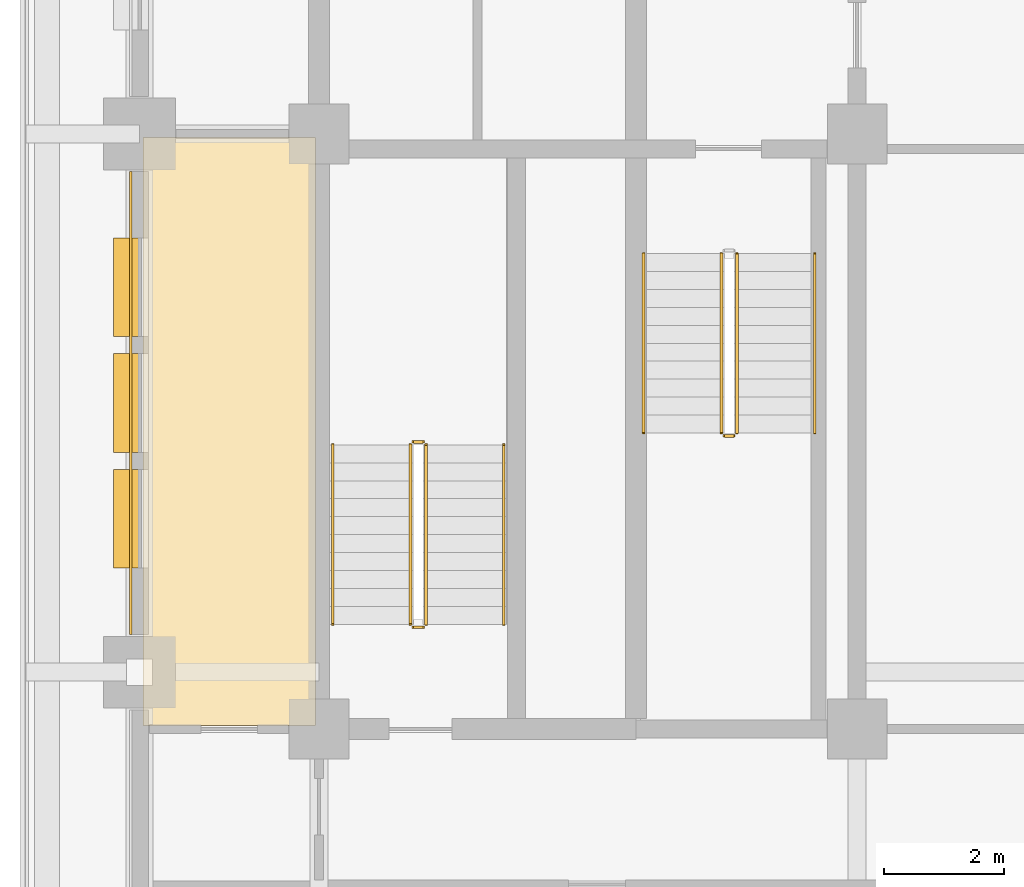
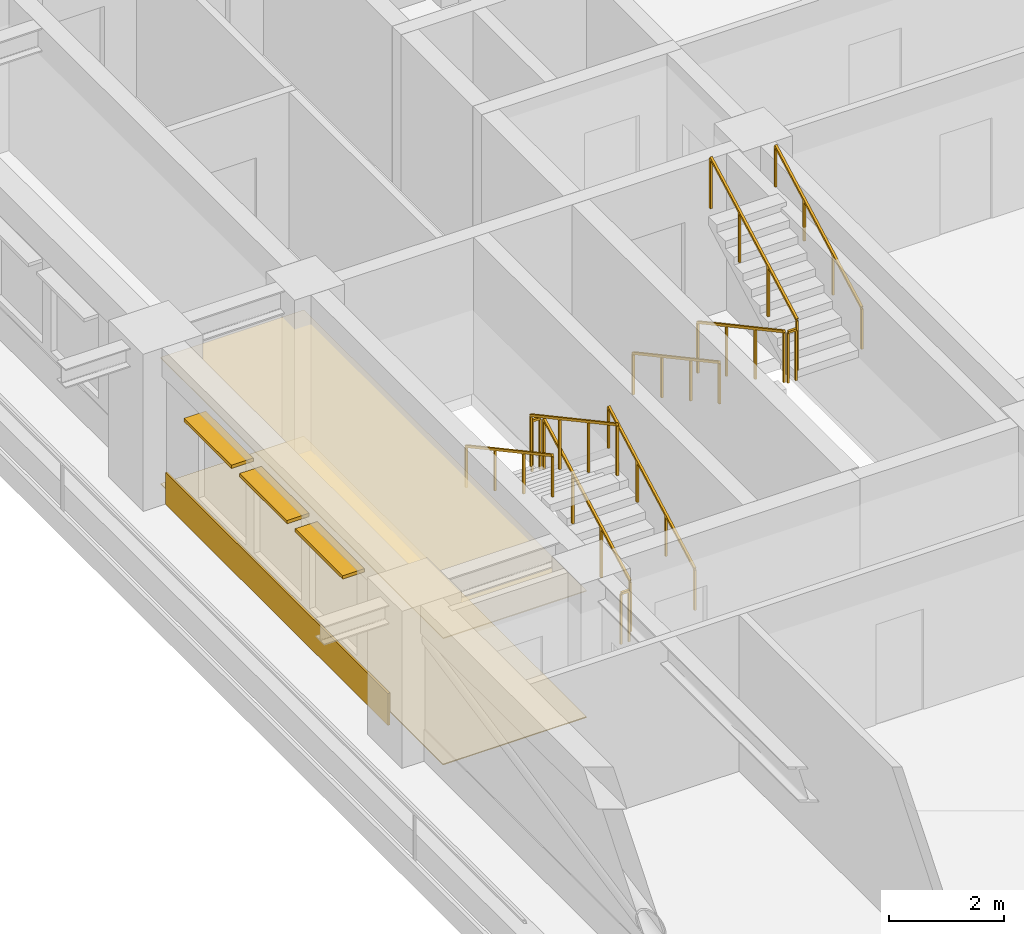
# One storey, part 9 of 14: 11 railings, 3 coverings, 3 shading devices.
"""IFC4 building model written with IfcOpenShell, lengths in metres."""

from ifc_helpers import new_model, si_unit, direction, frame, frame_2d, origin, origin_2d, place, context, subcontext, project, spatial, polyline, rectangle, outline, extrude, material, layer, layer_set, type_object, element, save


model = new_model("IFC4")

# Units and contexts
model_context = context("Model", 3, precision=1e-05, world=origin(), true_north=direction((0.0, 1.0)))
body_context = subcontext(model_context, "Body", "Model", "MODEL_VIEW")
ifc_project = project(units=[si_unit("LENGTHUNIT", "METRE"), si_unit("AREAUNIT", "SQUARE_METRE"), si_unit("VOLUMEUNIT", "CUBIC_METRE"), si_unit("PLANEANGLEUNIT", "RADIAN"), si_unit("MASSUNIT", "GRAM", prefix="KILO")], contexts=[model_context])

# Site, building, storey
site_placement = place(None, origin())
site = spatial("IfcSite", under=ifc_project, at=site_placement, CompositionType="ELEMENT")
building_placement = place(site_placement, origin())
building = spatial("IfcBuilding", under=site, at=building_placement, Name="Zulmaris Gate Convention Tower", CompositionType="ELEMENT")
storey_placement = place(building_placement, frame((0.0, 0.0, 98.5)))
storey = spatial("IfcBuildingStorey", under=building, at=storey_placement, Name="L24", CompositionType="ELEMENT", Elevation=98.5)

# Coverings
ifc_material_1 = material(Name="Precast concrete C40/50", Category="concrete")
ifc_layer_1 = layer(ifc_material_1, 0.0400390625, Name="Precast concrete C40/50")
ifc_layer_set_1 = layer_set([ifc_layer_1], Name="Precast concrete C40/50")
covering_type_1 = type_object("IfcCoveringType", Name="CLAD-SPANDREL-PRECAST", PredefinedType="CLADDING", material=ifc_layer_set_1)
covering_1_placement = place(storey_placement, frame((-23.14990234375, -0.6298828125, 0.0), z_axis=(0.0, 0.0, 1.0), x_axis=(0.0, -1.0, 0.0)))
element("IfcCovering", 1, at=covering_1_placement, inside=storey, type_object=covering_type_1, Name="CLD-L24-W-1_0", PredefinedType="CLADDING", context=body_context, shape_type="SweptSolid", body=[
    extrude(rectangle(XDim=7.740234375, YDim=0.0400390625, at=frame_2d((3.8701171875, 0.0))), origin(), (0.0, 0.0, 1.0), 0.679931640625),
])
ifc_material_2 = material(Name="Mineral Fibre Acoustic Ceiling Tile")
ifc_layer_2 = layer(ifc_material_2, 0.02001953125, Name="Mineral Fibre Acoustic Ceiling Tile")
ifc_layer_set_2 = layer_set([ifc_layer_2], Name="Mineral Fibre Acoustic Ceiling Tile")
covering_type_2 = type_object("IfcCoveringType", Name="CLG-ACOUSTIC-600", PredefinedType="CEILING", material=ifc_layer_set_2)
covering_2_placement = place(storey_placement, frame((0.0, 0.0, 2.6796875)))
element("IfcCovering", 2, at=covering_2_placement, inside=storey, type_object=covering_type_2, Name="CLG-L24-R50", PredefinedType="CEILING", context=body_context, shape_type="SweptSolid", body=[
    extrude(outline(polyline([(-22.93994140625, -9.889892578125), (-20.06005859375, -9.889892578125), (-20.06005859375, -0.06005859375), (-22.93994140625, -0.06005859375), (-22.93994140625, -9.889892578125)])), origin(), (0.0, 0.0, 1.0), 0.02001953125),
])
ifc_material_3 = material(Name="Woven Acoustic Wool Carpet Tile")
ifc_layer_3 = layer(ifc_material_3, 0.02001953125, Name="Woven Acoustic Wool Carpet Tile")
ifc_layer_set_3 = layer_set([ifc_layer_3], Name="Woven Acoustic Wool Carpet Tile")
covering_type_3 = type_object("IfcCoveringType", Name="FLR-CARPET-12", PredefinedType="FLOORING", material=ifc_layer_set_3)
covering_3_placement = place(storey_placement, origin())
element("IfcCovering", 3, at=covering_3_placement, inside=storey, type_object=covering_type_3, Name="FLR-L24-R50", PredefinedType="FLOORING", context=body_context, shape_type="SweptSolid", body=[
    extrude(outline(polyline([(-22.93994140625, -9.889892578125), (-20.06005859375, -9.889892578125), (-20.06005859375, -0.06005859375), (-22.93994140625, -0.06005859375), (-22.93994140625, -9.889892578125)])), origin(), (0.0, 0.0, 1.0), 0.02001953125),
])

# Railings
ifc_material_4 = material(Name="Painted Galvanised Steel", Category="steel")
railing_type_1 = type_object("IfcRailingType", Name="RL-STG-1150", PredefinedType="GUARDRAIL", material=ifc_material_4)
railing_1_placement = place(storey_placement, frame((-13.27001953125, -2.0, 0.162353515625)))
element("IfcRailing", 4, at=railing_1_placement, inside=storey, type_object=railing_type_1, Name="L24 ST-1 stair guard 1", PredefinedType="GUARDRAIL", context=body_context, shape_type="SweptSolid", body=[
    extrude(rectangle(XDim=0.048095703125, YDim=0.048095703125, at=origin_2d()), frame((0.0, 0.0, 1.076171875), z_axis=(0.0, -0.879591569277, 0.475729619907), x_axis=(1.0, 0.0, 0.0)), (0.0, 0.0, 1.0), 3.41064453125),
    extrude(rectangle(XDim=0.0419921875, YDim=0.0419921875, at=origin_2d()), origin(), (0.0, 0.0, 1.0), 1.052001953125),
    extrude(rectangle(XDim=0.0419921875, YDim=0.0419921875, at=origin_2d()), frame((0.0, -1.0, 0.540771484375)), (0.0, 0.0, 1.0), 1.052001953125),
    extrude(rectangle(XDim=0.0419921875, YDim=0.0419921875, at=origin_2d()), frame((0.0, -2.0, 1.081787109375)), (0.0, 0.0, 1.0), 1.052001953125),
    extrude(rectangle(XDim=0.0419921875, YDim=0.0419921875, at=origin_2d()), frame((0.0, -3.0, 1.62255859375)), (0.0, 0.0, 1.0), 1.052001953125),
])
railing_2_placement = place(storey_placement, frame((-13.219970703125, -5.050048828125, 1.784912109375)))
element("IfcRailing", 5, at=railing_2_placement, inside=storey, type_object=railing_type_1, Name="L24 ST-1 stair guard 2", PredefinedType="GUARDRAIL", context=body_context, shape_type="SweptSolid", body=[
    extrude(rectangle(XDim=0.048095703125, YDim=0.048095703125, at=origin_2d()), frame((0.0, 0.0, 1.076171875), z_axis=(1.0, 0.0, 0.0), x_axis=(0.0, 1.0, 0.0)), (0.0, 0.0, 1.0), 0.159912109375),
    extrude(rectangle(XDim=0.0419921875, YDim=0.0419921875, at=origin_2d()), origin(), (0.0, 0.0, 1.0), 1.052001953125),
    extrude(rectangle(XDim=0.0419921875, YDim=0.0419921875, at=origin_2d()), frame((0.159912109375, 0.0, 0.0)), (0.0, 0.0, 1.0), 1.052001953125),
])
for number, where, name in (
    (6, (-13.010009765625, -5.0, 1.947265625), "L24 ST-1 stair guard 3"),
    (7, (-18.2099609375, -8.199951171875, 0.162353515625), "L24 ST-3 stair guard 1"),
):
    element("IfcRailing", number, at=place(storey_placement, frame(where)), inside=storey, type_object=railing_type_1, Name=name, PredefinedType="GUARDRAIL", context=body_context, shape_type="SweptSolid", body=[
        extrude(rectangle(XDim=0.048095703125, YDim=0.048095703125, at=origin_2d()), frame((0.0, 0.0, 1.076171875), z_axis=(0.0, 0.879591569277, 0.475729619907), x_axis=(-1.0, 0.0, 0.0)), (0.0, 0.0, 1.0), 3.41064453125),
        extrude(rectangle(XDim=0.0419921875, YDim=0.0419921875, at=origin_2d()), origin(), (0.0, 0.0, 1.0), 1.052001953125),
        extrude(rectangle(XDim=0.0419921875, YDim=0.0419921875, at=origin_2d()), frame((0.0, 1.0, 0.540771484375)), (0.0, 0.0, 1.0), 1.052001953125),
        extrude(rectangle(XDim=0.0419921875, YDim=0.0419921875, at=origin_2d()), frame((0.0, 2.0, 1.081787109375)), (0.0, 0.0, 1.0), 1.052001953125),
        extrude(rectangle(XDim=0.0419921875, YDim=0.0419921875, at=origin_2d()), frame((0.0, 3.0, 1.62255859375)), (0.0, 0.0, 1.0), 1.052001953125),
    ])
railing_3_placement = place(storey_placement, frame((-18.260009765625, -5.14990234375, 1.784912109375)))
element("IfcRailing", 8, at=railing_3_placement, inside=storey, type_object=railing_type_1, Name="L24 ST-3 stair guard 2", PredefinedType="GUARDRAIL", context=body_context, shape_type="SweptSolid", body=[
    extrude(rectangle(XDim=0.048095703125, YDim=0.048095703125, at=origin_2d()), frame((0.0, 0.0, 1.076171875), z_axis=(-1.0, 0.0, 0.0), x_axis=(0.0, -1.0, 0.0)), (0.0, 0.0, 1.0), 0.159912109375),
    extrude(rectangle(XDim=0.0419921875, YDim=0.0419921875, at=origin_2d()), origin(), (0.0, 0.0, 1.0), 1.052001953125),
    extrude(rectangle(XDim=0.0419921875, YDim=0.0419921875, at=origin_2d()), frame((-0.159912109375, 0.0, 0.0)), (0.0, 0.0, 1.0), 1.052001953125),
])
railing_4_placement = place(storey_placement, frame((-18.469970703125, -5.199951171875, 1.947265625)))
element("IfcRailing", 9, at=railing_4_placement, inside=storey, type_object=railing_type_1, Name="L24 ST-3 stair guard 3", PredefinedType="GUARDRAIL", context=body_context, shape_type="SweptSolid", body=[
    extrude(rectangle(XDim=0.048095703125, YDim=0.048095703125, at=origin_2d()), frame((0.0, 0.0, 1.076171875), z_axis=(0.0, -0.879591569277, 0.475729619907), x_axis=(1.0, 0.0, 0.0)), (0.0, 0.0, 1.0), 3.41064453125),
    extrude(rectangle(XDim=0.0419921875, YDim=0.0419921875, at=origin_2d()), origin(), (0.0, 0.0, 1.0), 1.052001953125),
    extrude(rectangle(XDim=0.0419921875, YDim=0.0419921875, at=origin_2d()), frame((0.0, -1.0, 0.540771484375)), (0.0, 0.0, 1.0), 1.052001953125),
    extrude(rectangle(XDim=0.0419921875, YDim=0.0419921875, at=origin_2d()), frame((0.0, -2.0, 1.081787109375)), (0.0, 0.0, 1.0), 1.052001953125),
    extrude(rectangle(XDim=0.0419921875, YDim=0.0419921875, at=origin_2d()), frame((0.0, -3.0, 1.62255859375)), (0.0, 0.0, 1.0), 1.052001953125),
])
railing_5_placement = place(storey_placement, frame((-18.260009765625, -8.25, 0.0)))
element("IfcRailing", 10, at=railing_5_placement, inside=storey, type_object=railing_type_1, Name="L24 ST-3 stair guard 4", PredefinedType="GUARDRAIL", context=body_context, shape_type="SweptSolid", body=[
    extrude(rectangle(XDim=0.048095703125, YDim=0.048095703125, at=origin_2d()), frame((0.0, 0.0, 1.076171875), z_axis=(-1.0, 0.0, 0.0), x_axis=(0.0, -1.0, 0.0)), (0.0, 0.0, 1.0), 0.159912109375),
    extrude(rectangle(XDim=0.0419921875, YDim=0.0419921875, at=origin_2d()), origin(), (0.0, 0.0, 1.0), 1.052001953125),
    extrude(rectangle(XDim=0.0419921875, YDim=0.0419921875, at=origin_2d()), frame((-0.159912109375, 0.0, 0.0)), (0.0, 0.0, 1.0), 1.052001953125),
])
ifc_material_5 = material(Name="Brushed Stainless Steel", Category="steel")
railing_type_2 = type_object("IfcRailingType", Name="RL-STH-900", PredefinedType="HANDRAIL", material=ifc_material_5)
railing_6_placement = place(storey_placement, frame((-14.570068359375, -2.0, 0.162353515625)))
element("IfcRailing", 11, at=railing_6_placement, inside=storey, type_object=railing_type_2, Name="L24 ST-1 stair handrail 1", PredefinedType="HANDRAIL", context=body_context, shape_type="SweptSolid", body=[
    extrude(rectangle(XDim=0.048095703125, YDim=0.048095703125, at=origin_2d()), frame((0.0, 0.0, 0.8759765625), z_axis=(0.0, -0.879591569277, 0.475729619907), x_axis=(1.0, 0.0, 0.0)), (0.0, 0.0, 1.0), 3.41064453125),
    extrude(rectangle(XDim=0.0419921875, YDim=0.0419921875, at=origin_2d()), origin(), (0.0, 0.0, 1.0), 0.851806640625),
    extrude(rectangle(XDim=0.0419921875, YDim=0.0419921875, at=origin_2d()), frame((0.0, -1.0, 0.540771484375)), (0.0, 0.0, 1.0), 0.851806640625),
    extrude(rectangle(XDim=0.0419921875, YDim=0.0419921875, at=origin_2d()), frame((0.0, -2.0, 1.081787109375)), (0.0, 0.0, 1.0), 0.851806640625),
    extrude(rectangle(XDim=0.0419921875, YDim=0.0419921875, at=origin_2d()), frame((0.0, -3.0, 1.62255859375)), (0.0, 0.0, 1.0), 0.851806640625),
])
for number, where, name in (
    (12, (-11.7099609375, -5.0, 1.947265625), "L24 ST-1 stair handrail 2"),
    (13, (-16.909912109375, -8.199951171875, 0.162353515625), "L24 ST-3 stair handrail 1"),
):
    element("IfcRailing", number, at=place(storey_placement, frame(where)), inside=storey, type_object=railing_type_2, Name=name, PredefinedType="HANDRAIL", context=body_context, shape_type="SweptSolid", body=[
        extrude(rectangle(XDim=0.048095703125, YDim=0.048095703125, at=origin_2d()), frame((0.0, 0.0, 0.8759765625), z_axis=(0.0, 0.879591569277, 0.475729619907), x_axis=(-1.0, 0.0, 0.0)), (0.0, 0.0, 1.0), 3.41064453125),
        extrude(rectangle(XDim=0.0419921875, YDim=0.0419921875, at=origin_2d()), origin(), (0.0, 0.0, 1.0), 0.851806640625),
        extrude(rectangle(XDim=0.0419921875, YDim=0.0419921875, at=origin_2d()), frame((0.0, 1.0, 0.540771484375)), (0.0, 0.0, 1.0), 0.851806640625),
        extrude(rectangle(XDim=0.0419921875, YDim=0.0419921875, at=origin_2d()), frame((0.0, 2.0, 1.081787109375)), (0.0, 0.0, 1.0), 0.851806640625),
        extrude(rectangle(XDim=0.0419921875, YDim=0.0419921875, at=origin_2d()), frame((0.0, 3.0, 1.62255859375)), (0.0, 0.0, 1.0), 0.851806640625),
    ])
railing_7_placement = place(storey_placement, frame((-19.77001953125, -5.199951171875, 1.947265625)))
element("IfcRailing", 14, at=railing_7_placement, inside=storey, type_object=railing_type_2, Name="L24 ST-3 stair handrail 2", PredefinedType="HANDRAIL", context=body_context, shape_type="SweptSolid", body=[
    extrude(rectangle(XDim=0.048095703125, YDim=0.048095703125, at=origin_2d()), frame((0.0, 0.0, 0.8759765625), z_axis=(0.0, -0.879591569277, 0.475729619907), x_axis=(1.0, 0.0, 0.0)), (0.0, 0.0, 1.0), 3.41064453125),
    extrude(rectangle(XDim=0.0419921875, YDim=0.0419921875, at=origin_2d()), origin(), (0.0, 0.0, 1.0), 0.851806640625),
    extrude(rectangle(XDim=0.0419921875, YDim=0.0419921875, at=origin_2d()), frame((0.0, -1.0, 0.540771484375)), (0.0, 0.0, 1.0), 0.851806640625),
    extrude(rectangle(XDim=0.0419921875, YDim=0.0419921875, at=origin_2d()), frame((0.0, -2.0, 1.081787109375)), (0.0, 0.0, 1.0), 0.851806640625),
    extrude(rectangle(XDim=0.0419921875, YDim=0.0419921875, at=origin_2d()), frame((0.0, -3.0, 1.62255859375)), (0.0, 0.0, 1.0), 0.851806640625),
])

# Shading devices
ifc_material_6 = material(Name="Glazed Ceramic Terracotta", Category="masonry")
ifc_layer_4 = layer(ifc_material_6, 0.070068359375, Name="Glazed Ceramic Terracotta")
ifc_layer_set_4 = layer_set([ifc_layer_4], Name="Glazed Ceramic Terracotta")
shading_device_type = type_object("IfcShadingDeviceType", Name="SHD-SUNSHADE-TC", PredefinedType="AWNING", material=ifc_layer_set_4)
for number, where, z_axis, x_axis, name in (
    (15, (-23.219970703125, -1.739990234375, 2.530029296875), (0.0, 0.0, 1.0), (0.0, -1.0, 0.0), "SHD-EW-L24-W-1_0-1"),
    (16, (-23.219970703125, -3.675048828125, 2.530029296875), (0.0, 0.0, 1.0), (0.0, -1.0, 0.0), "SHD-EW-L24-W-1_0-2"),
    (17, (-23.219970703125, -5.610107421875, 2.530029296875), (0.0, 0.0, 1.0), (0.0, -1.0, 0.0), "SHD-EW-L24-W-1_0-3"),
):
    element("IfcShadingDevice", number, at=place(storey_placement, frame(where, z_axis=z_axis, x_axis=x_axis)), inside=storey, type_object=shading_device_type, Name=name, PredefinedType="AWNING", context=body_context, shape_type="SweptSolid", body=[
        extrude(rectangle(XDim=1.64990234375, YDim=0.43994140625, at=frame_2d((0.824951171875, 0.0))), origin(), (0.0, 0.0, 1.0), 0.070068359375),
    ])

save(model, "model.ifc")
